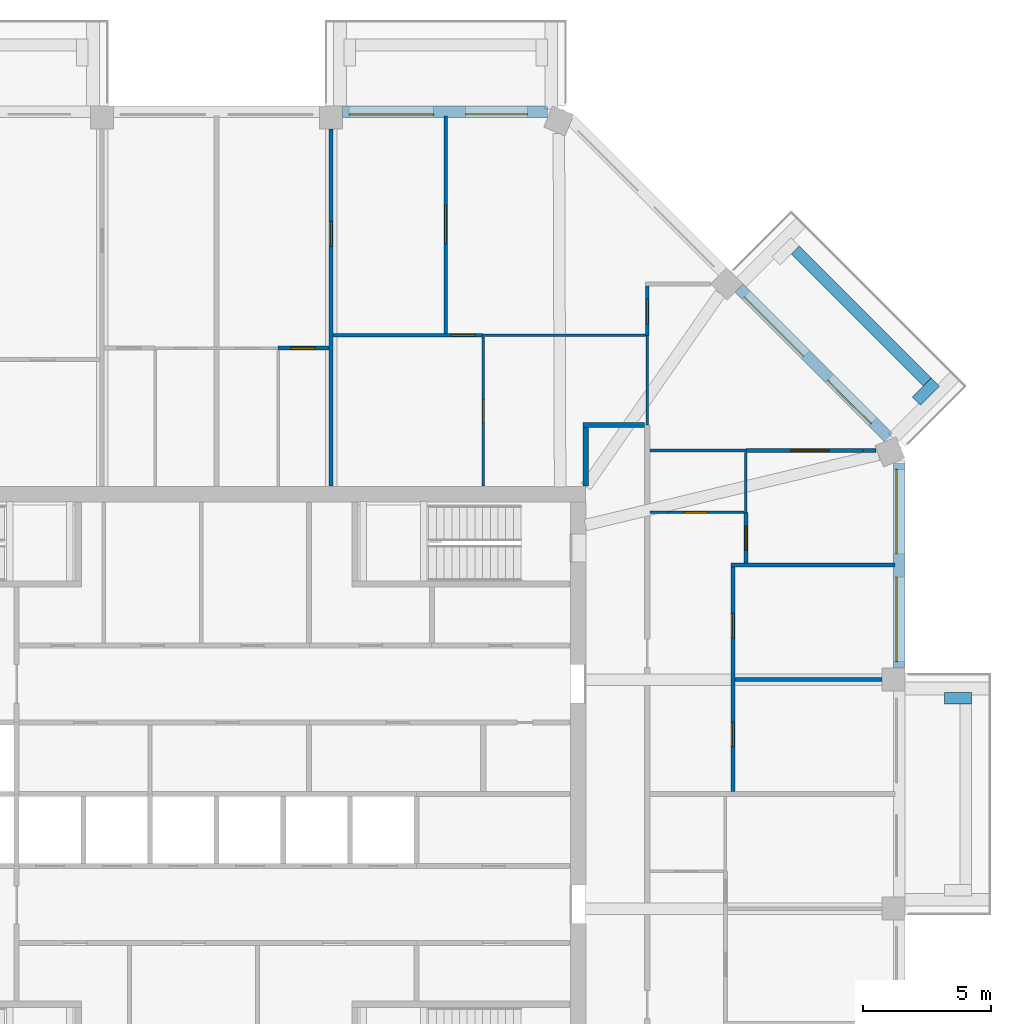
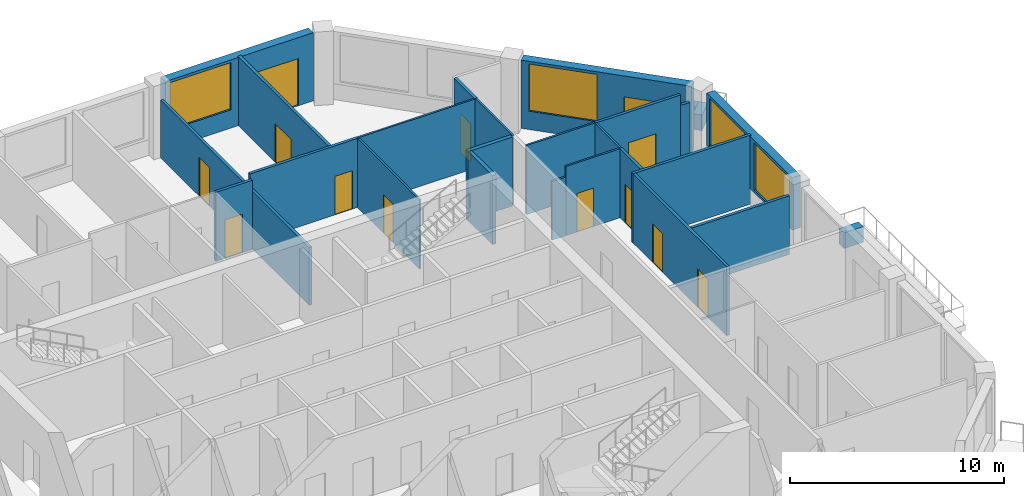
# One storey, part 9 of 12: 26 walls, 13 doors, 4 windows, 17 openings.
"""IFC4 building model written with IfcOpenShell, lengths in metres."""

from ifc_helpers import new_model, si_unit, direction, frame, frame_2d, origin, place, context, subcontext, project, spatial, rectangle, extrude, material, layer, layer_set, type_object, element, fill, save


model = new_model("IFC4")

# Units and contexts
model_context = context("Model", 3, precision=1e-05, world=origin(), true_north=direction((0.0, 1.0)))
body_context = subcontext(model_context, "Body", "Model", "MODEL_VIEW")
ifc_project = project(units=[si_unit("LENGTHUNIT", "METRE"), si_unit("AREAUNIT", "SQUARE_METRE"), si_unit("VOLUMEUNIT", "CUBIC_METRE"), si_unit("PLANEANGLEUNIT", "RADIAN"), si_unit("MASSUNIT", "GRAM", prefix="KILO")], contexts=[model_context])

# Site, building, storey
site_placement = place(None, origin())
site = spatial("IfcSite", under=ifc_project, at=site_placement, CompositionType="ELEMENT")
building_placement = place(site_placement, origin())
building = spatial("IfcBuilding", under=site, at=building_placement, Name="Msitu Wima Residences", CompositionType="ELEMENT")
storey_placement = place(building_placement, frame((0.0, 0.0, 255.89990234375)))
storey = spatial("IfcBuildingStorey", under=building, at=storey_placement, Name="L59", CompositionType="ELEMENT", Elevation=255.89990234375)

# Walls
ifc_material_1 = material(Name="Facing brick")
ifc_layer_1 = layer(ifc_material_1, 0.06494140625, Name="Facing brick")
ifc_material_2 = material(Name="Concrete C40/50", Category="concrete")
ifc_layer_2 = layer(ifc_material_2, 0.156005859375, Name="Concrete C40/50")
ifc_material_3 = material(Name="Waterproofing membrane")
ifc_layer_3 = layer(ifc_material_3, 0.00390625, Name="Waterproofing membrane")
ifc_material_4 = material(Name="Planting soil and planting")
ifc_layer_4 = layer(ifc_material_4, 0.22509765625, Name="Planting soil and planting")
ifc_layer_set_1 = layer_set([ifc_layer_1, ifc_layer_2, ifc_layer_3, ifc_layer_4], Name="Concrete C40/50")
wall_type_1 = type_object("IfcWallType", Name="Balcony planter PLANTER PL450", PredefinedType="USERDEFINED", material=ifc_layer_set_1)
wall_1_placement = place(storey_placement, frame((28.39990234375, 3.74365234375, 0.0), z_axis=(0.0, 0.0, 1.0), x_axis=(1.0, 0.0, 0.0)))
element("IfcWall", 1, at=wall_1_placement, inside=storey, type_object=wall_type_1, Name="Balcony planter E1 L59", ObjectType="PLANTER", PredefinedType="USERDEFINED", context=body_context, shape_type="SweptSolid", body=[
    extrude(rectangle(XDim=1.050048828125, YDim=0.449951171875, at=frame_2d((0.52490234375, 0.0))), origin(), (0.0, 0.0, 1.0), 0.900146484375),
])
wall_2_placement = place(storey_placement, frame((27.725830078125, 16.0751953125, 0.0), z_axis=(0.0, 0.0, 1.0), x_axis=(-0.707106781187, 0.707106781187, 0.0)))
element("IfcWall", 2, at=wall_2_placement, inside=storey, type_object=wall_type_1, Name="Balcony planter NE0 L59", ObjectType="PLANTER", PredefinedType="USERDEFINED", context=body_context, shape_type="SweptSolid", body=[
    extrude(rectangle(XDim=7.288330078125, YDim=0.449951171875, at=frame_2d((3.64404296875, 0.0))), origin(), (0.0, 0.0, 1.0), 0.900146484375),
])
wall_3_placement = place(storey_placement, frame((27.301513671875, 15.332763671875, 0.0), z_axis=(0.0, 0.0, 1.0), x_axis=(0.707106781187, 0.707106781187, 0.0)))
element("IfcWall", 3, at=wall_3_placement, inside=storey, type_object=wall_type_1, Name="Balcony planter NE0 L59", ObjectType="PLANTER", PredefinedType="USERDEFINED", context=body_context, shape_type="SweptSolid", body=[
    extrude(rectangle(XDim=1.050048828125, YDim=0.449951171875, at=frame_2d((0.52490234375, 0.0))), origin(), (0.0, 0.0, 1.0), 0.900146484375),
])

# Wall, openings, windows
ifc_material_5 = material(Name="Brick (red buff mix)", Category="masonry")
ifc_layer_5 = layer(ifc_material_5, 0.449951171875)
ifc_layer_set_2 = layer_set([ifc_layer_5], Name="Brick (red buff mix)")
wall_type_2 = type_object("IfcWallType", Name="Brick infill wall BW450", PredefinedType="SOLIDWALL", material=ifc_layer_set_2)
wall_4_placement = place(storey_placement, frame((26.625, 4.918701171875, 0.900146484375), z_axis=(0.0, 0.0, 1.0), x_axis=(0.0, 1.0, 0.0)))
wall_4 = element("IfcWall", 4, at=wall_4_placement, inside=storey, type_object=wall_type_2, Name="Brick infill wall L59 E2", PredefinedType="SOLIDWALL", context=body_context, shape_type="SweptSolid", body=[
    extrude(rectangle(XDim=8.0, YDim=0.449951171875, at=frame_2d((4.0, 0.0))), origin(), (0.0, 0.0, 1.0), 3.0),
])
opening_1_placement = place(wall_4_placement, frame((0.25, 0.0, 0.14990234375)))
opening_1 = element("IfcOpeningElement", 5, at=opening_1_placement, cuts=wall_4, Name="Opening W57-59.004", PredefinedType="OPENING", context=body_context, shape_type="SweptSolid", body=[
    extrude(rectangle(XDim=3.300048828125, YDim=2.699951171875, at=frame_2d((1.64990234375, 1.35009765625))), frame((0.0, 0.23486328125, 0.0), z_axis=(0.0, -1.0, 0.0), x_axis=(1.0, 0.0, 0.0)), (0.0, 0.0, 1.0), 0.469970703125),
])
opening_2_placement = place(wall_4_placement, frame((4.4501953125, 0.0, 0.14990234375)))
opening_2 = element("IfcOpeningElement", 6, at=opening_2_placement, cuts=wall_4, Name="Opening W57-59.005", PredefinedType="OPENING", context=body_context, shape_type="SweptSolid", body=[
    extrude(rectangle(XDim=3.300048828125, YDim=2.699951171875, at=frame_2d((1.64990234375, 1.35009765625))), frame((0.0, 0.23486328125, 0.0), z_axis=(0.0, -1.0, 0.0), x_axis=(1.0, 0.0, 0.0)), (0.0, 0.0, 1.0), 0.469970703125),
])
ifc_material_6 = material(Name="Anodised aluminium, bronze finish, clear low-emissivity double glazing", Category="aluminium")
window_type = type_object("IfcWindowType", Name="Window W3300x2700", PartitioningType="DOUBLE_PANEL_VERTICAL", PredefinedType="WINDOW", material=ifc_material_6)
window_1_placement = place(opening_1_placement, origin())
window_1 = element("IfcWindow", 7, at=window_1_placement, inside=storey, type_object=window_type, Name="Window L59 E2.1", OverallHeight=2.699951171875, OverallWidth=3.300048828125, PartitioningType="SINGLE_PANEL", PredefinedType="WINDOW", context=body_context, shape_type="SweptSolid", body=[
    extrude(rectangle(XDim=3.300048828125, YDim=2.699951171875, at=frame_2d((1.64990234375, 1.35009765625))), frame((0.0, 0.135009765625, 0.0), z_axis=(0.0, -1.0, 0.0), x_axis=(1.0, 0.0, 0.0)), (0.0, 0.0, 1.0), 0.06005859375),
])
fill(opening_1, window_1)
window_2_placement = place(opening_2_placement, origin())
window_2 = element("IfcWindow", 8, at=window_2_placement, inside=storey, type_object=window_type, Name="Window L59 E2.2", OverallHeight=2.699951171875, OverallWidth=3.300048828125, PartitioningType="SINGLE_PANEL", PredefinedType="WINDOW", context=body_context, shape_type="SweptSolid", body=[
    extrude(rectangle(XDim=3.300048828125, YDim=2.699951171875, at=frame_2d((1.64990234375, 1.35009765625))), frame((0.0, 0.135009765625, 0.0), z_axis=(0.0, -1.0, 0.0), x_axis=(1.0, 0.0, 0.0)), (0.0, 0.0, 1.0), 0.06005859375),
])
fill(opening_2, window_2)

# Wall, openings, door, window
wall_5_placement = place(storey_placement, frame((26.214599609375, 13.909423828125, 0.0), z_axis=(0.0, 0.0, 1.0), x_axis=(-0.707106781187, 0.707106781187, 0.0)))
wall_5 = element("IfcWall", 9, at=wall_5_placement, inside=storey, type_object=wall_type_2, Name="Brick infill wall L59 NE0", PredefinedType="SOLIDWALL", context=body_context, shape_type="SweptSolid", body=[
    extrude(rectangle(XDim=8.251220703125, YDim=0.449951171875, at=frame_2d((4.12548828125, 0.0))), origin(), (0.0, 0.0, 1.0), 3.900146484375),
])
opening_3_placement = place(wall_5_placement, frame((0.86279296875, 0.0, 0.0)))
opening_3 = element("IfcOpeningElement", 10, at=opening_3_placement, cuts=wall_5, Name="Opening D57-59.004", PredefinedType="OPENING", context=body_context, shape_type="SweptSolid", body=[
    extrude(rectangle(XDim=2.39990234375, YDim=2.699951171875, at=frame_2d((1.199951171875, 1.35009765625))), frame((0.0, 0.23486328125, 0.0), z_axis=(0.0, -1.0, 0.0), x_axis=(1.0, 0.0, 0.0)), (0.0, 0.0, 1.0), 0.469970703125),
])
opening_4_placement = place(wall_5_placement, frame((4.57568359375, 0.0, 1.050048828125)))
opening_4 = element("IfcOpeningElement", 11, at=opening_4_placement, cuts=wall_5, Name="Opening W57-59.010", PredefinedType="OPENING", context=body_context, shape_type="SweptSolid", body=[
    extrude(rectangle(XDim=3.300048828125, YDim=2.699951171875, at=frame_2d((1.64990234375, 1.35009765625))), frame((0.0, 0.23486328125, 0.0), z_axis=(0.0, -1.0, 0.0), x_axis=(1.0, 0.0, 0.0)), (0.0, 0.0, 1.0), 0.469970703125),
])
door_type_1 = type_object("IfcDoorType", Name="Balcony door D2400x2700", OperationType="SLIDING_TO_LEFT", PredefinedType="DOOR", material=ifc_material_6)
door_1_placement = place(opening_3_placement, origin())
door_1 = element("IfcDoor", 12, at=door_1_placement, inside=storey, type_object=door_type_1, Name="Balcony door L59 NE0", OperationType="SINGLE_SWING_LEFT", OverallHeight=2.699951171875, OverallWidth=2.39990234375, PredefinedType="DOOR", context=body_context, shape_type="SweptSolid", body=[
    extrude(rectangle(XDim=2.39990234375, YDim=2.699951171875, at=frame_2d((1.199951171875, 1.35009765625))), frame((0.0, 0.1298828125, 0.0), z_axis=(0.0, -1.0, 0.0), x_axis=(1.0, 0.0, 0.0)), (0.0, 0.0, 1.0), 0.050048828125),
])
fill(opening_3, door_1)
window_3_placement = place(opening_4_placement, origin())
window_3 = element("IfcWindow", 13, at=window_3_placement, inside=storey, type_object=window_type, Name="Window L59 NE0.2", OverallHeight=2.699951171875, OverallWidth=3.300048828125, PartitioningType="SINGLE_PANEL", PredefinedType="WINDOW", context=body_context, shape_type="SweptSolid", body=[
    extrude(rectangle(XDim=3.300048828125, YDim=2.699951171875, at=frame_2d((1.64990234375, 1.35009765625))), frame((0.0, 0.135009765625, 0.0), z_axis=(0.0, -1.0, 0.0), x_axis=(1.0, 0.0, 0.0)), (0.0, 0.0, 1.0), 0.06005859375),
])
fill(opening_4, window_3)

wall_6_placement = place(storey_placement, frame((12.918701171875, 26.625, 0.0), z_axis=(0.0, 0.0, 1.0), x_axis=(-1.0, 0.0, 0.0)))
wall_6 = element("IfcWall", 14, at=wall_6_placement, inside=storey, type_object=wall_type_2, Name="Brick infill wall L59 N0", PredefinedType="SOLIDWALL", context=body_context, shape_type="SweptSolid", body=[
    extrude(rectangle(XDim=8.0, YDim=0.449951171875, at=frame_2d((4.0, 0.0))), origin(), (0.0, 0.0, 1.0), 3.900146484375),
])
opening_5_placement = place(wall_6_placement, frame((0.800048828125, 0.0, 0.0)))
opening_5 = element("IfcOpeningElement", 15, at=opening_5_placement, cuts=wall_6, Name="Opening D57-59.002", PredefinedType="OPENING", context=body_context, shape_type="SweptSolid", body=[
    extrude(rectangle(XDim=2.39990234375, YDim=2.699951171875, at=frame_2d((1.199951171875, 1.35009765625))), frame((0.0, 0.23486328125, 0.0), z_axis=(0.0, -1.0, 0.0), x_axis=(1.0, 0.0, 0.0)), (0.0, 0.0, 1.0), 0.469970703125),
])
opening_6_placement = place(wall_6_placement, frame((4.4501953125, 0.0, 1.050048828125)))
opening_6 = element("IfcOpeningElement", 16, at=opening_6_placement, cuts=wall_6, Name="Opening W57-59.006", PredefinedType="OPENING", context=body_context, shape_type="SweptSolid", body=[
    extrude(rectangle(XDim=3.300048828125, YDim=2.699951171875, at=frame_2d((1.64990234375, 1.35009765625))), frame((0.0, 0.23486328125, 0.0), z_axis=(0.0, -1.0, 0.0), x_axis=(1.0, 0.0, 0.0)), (0.0, 0.0, 1.0), 0.469970703125),
])
door_2_placement = place(opening_5_placement, origin())
door_2 = element("IfcDoor", 17, at=door_2_placement, inside=storey, type_object=door_type_1, Name="Balcony door L59 N0", OperationType="SINGLE_SWING_LEFT", OverallHeight=2.699951171875, OverallWidth=2.39990234375, PredefinedType="DOOR", context=body_context, shape_type="SweptSolid", body=[
    extrude(rectangle(XDim=2.39990234375, YDim=2.699951171875, at=frame_2d((1.199951171875, 1.35009765625))), frame((0.0, 0.1298828125, 0.0), z_axis=(0.0, -1.0, 0.0), x_axis=(1.0, 0.0, 0.0)), (0.0, 0.0, 1.0), 0.050048828125),
])
fill(opening_5, door_2)
window_4_placement = place(opening_6_placement, origin())
window_4 = element("IfcWindow", 18, at=window_4_placement, inside=storey, type_object=window_type, Name="Window L59 N0.2", OverallHeight=2.699951171875, OverallWidth=3.300048828125, PartitioningType="SINGLE_PANEL", PredefinedType="WINDOW", context=body_context, shape_type="SweptSolid", body=[
    extrude(rectangle(XDim=3.300048828125, YDim=2.699951171875, at=frame_2d((1.64990234375, 1.35009765625))), frame((0.0, 0.135009765625, 0.0), z_axis=(0.0, -1.0, 0.0), x_axis=(1.0, 0.0, 0.0)), (0.0, 0.0, 1.0), 0.06005859375),
])
fill(opening_6, window_4)

# Walls
ifc_material_7 = material(Name="Plaster")
ifc_layer_6 = layer(ifc_material_7, 0.011962890625, Name="Plaster")
ifc_material_8 = material(Name="Concrete blockwork", Category="masonry")
ifc_layer_7 = layer(ifc_material_8, 0.176025390625, Name="Concrete blockwork")
ifc_layer_8 = layer(ifc_material_7, 0.011962890625, Name="Plaster")
ifc_layer_set_3 = layer_set([ifc_layer_6, ifc_layer_7, ifc_layer_8], Name="Concrete blockwork")
wall_type_3 = type_object("IfcWallType", Name="Corridor wall FW200", PredefinedType="PARTITIONING", material=ifc_layer_set_3)
wall_7_placement = place(storey_placement, frame((14.39990234375, 12.030029296875, 0.0), z_axis=(0.0, 0.0, 1.0), x_axis=(0.0, 1.0, 0.0)))
element("IfcWall", 19, at=wall_7_placement, inside=storey, type_object=wall_type_3, Name="Corridor wall", PredefinedType="PARTITIONING", context=body_context, shape_type="SweptSolid", body=[
    extrude(rectangle(XDim=2.27001953125, YDim=0.199951171875, at=frame_2d((1.135009765625, 0.0))), origin(), (0.0, 0.0, 1.0), 3.9501953125),
])
wall_8_placement = place(storey_placement, frame((14.300048828125, 14.39990234375, 0.0), z_axis=(0.0, 0.0, 1.0), x_axis=(1.0, 0.0, 0.0)))
element("IfcWall", 20, at=wall_8_placement, inside=storey, type_object=wall_type_3, Name="Corridor wall", PredefinedType="PARTITIONING", context=body_context, shape_type="SweptSolid", body=[
    extrude(rectangle(XDim=2.39990234375, YDim=0.199951171875, at=frame_2d((1.199951171875, 0.0))), origin(), (0.0, 0.0, 1.0), 3.9501953125),
])

# Wall, opening, door
ifc_layer_9 = layer(ifc_material_7, 0.011962890625, Name="Plaster")
ifc_layer_10 = layer(ifc_material_8, 0.1259765625, Name="Concrete blockwork")
ifc_layer_11 = layer(ifc_material_7, 0.011962890625, Name="Plaster")
ifc_layer_set_4 = layer_set([ifc_layer_9, ifc_layer_10, ifc_layer_11], Name="Concrete blockwork")
wall_type_4 = type_object("IfcWallType", Name="Partition PW150", PredefinedType="PARTITIONING", material=ifc_layer_set_4)
wall_9_placement = place(storey_placement, frame((2.39990234375, 17.39990234375, 0.0), z_axis=(0.0, 0.0, 1.0), x_axis=(1.0, 0.0, 0.0)))
wall_9 = element("IfcWall", 21, at=wall_9_placement, inside=storey, type_object=wall_type_4, Name="Partition", PredefinedType="PARTITIONING", context=body_context, shape_type="SweptSolid", body=[
    extrude(rectangle(XDim=1.99365234375, YDim=0.14990234375, at=frame_2d((0.996826171875, 0.0))), origin(), (0.0, 0.0, 1.0), 3.9501953125),
])
opening_7_placement = place(wall_9_placement, frame((0.5, 0.0, 0.0)))
opening_7 = element("IfcOpeningElement", 22, at=opening_7_placement, cuts=wall_9, Name="Opening D57-59.015", PredefinedType="OPENING", context=body_context, shape_type="SweptSolid", body=[
    extrude(rectangle(XDim=0.949951171875, YDim=2.199951171875, at=frame_2d((0.47509765625, 1.10009765625))), frame((0.0, 0.0849609375, 0.0), z_axis=(0.0, -1.0, 0.0), x_axis=(1.0, 0.0, 0.0)), (0.0, 0.0, 1.0), 0.169921875),
])
ifc_material_9 = material(Name="Timber flush door", Category="wood")
door_type_2 = type_object("IfcDoorType", Name="Room door D12 950x2200", OperationType="SINGLE_SWING_LEFT", PredefinedType="DOOR", material=ifc_material_9)
door_3_placement = place(opening_7_placement, origin())
door_3 = element("IfcDoor", 23, at=door_3_placement, inside=storey, type_object=door_type_2, Name="Room door", OperationType="SINGLE_SWING_RIGHT", OverallHeight=2.199951171875, OverallWidth=0.949951171875, PredefinedType="DOOR", context=body_context, shape_type="SweptSolid", body=[
    extrude(rectangle(XDim=0.949951171875, YDim=2.199951171875, at=frame_2d((0.47509765625, 1.10009765625))), frame((0.0, 0.02490234375, 0.0), z_axis=(0.0, -1.0, 0.0), x_axis=(1.0, 0.0, 0.0)), (0.0, 0.0, 1.0), 0.050048828125),
])
fill(opening_7, door_3)

wall_10_placement = place(storey_placement, frame((4.46875, 12.030029296875, 0.0), z_axis=(0.0, 0.0, 1.0), x_axis=(0.0, 1.0, 0.0)))
wall_10 = element("IfcWall", 24, at=wall_10_placement, inside=storey, type_object=wall_type_4, Name="Partition", PredefinedType="PARTITIONING", context=body_context, shape_type="SweptSolid", body=[
    extrude(rectangle(XDim=13.919921875, YDim=0.14990234375, at=frame_2d((6.9599609375, 0.0))), origin(), (0.0, 0.0, 1.0), 3.300048828125),
])
opening_8_placement = place(wall_10_placement, frame((9.35009765625, 0.0, 0.0)))
opening_8 = element("IfcOpeningElement", 25, at=opening_8_placement, cuts=wall_10, Name="Opening D57-59.013", PredefinedType="OPENING", context=body_context, shape_type="SweptSolid", body=[
    extrude(rectangle(XDim=0.949951171875, YDim=2.199951171875, at=frame_2d((0.47509765625, 1.10009765625))), frame((0.0, 0.0849609375, 0.0), z_axis=(0.0, -1.0, 0.0), x_axis=(1.0, 0.0, 0.0)), (0.0, 0.0, 1.0), 0.169921875),
])
door_4_placement = place(opening_8_placement, origin())
door_4 = element("IfcDoor", 26, at=door_4_placement, inside=storey, type_object=door_type_2, Name="Room door", OperationType="SINGLE_SWING_RIGHT", OverallHeight=2.199951171875, OverallWidth=0.949951171875, PredefinedType="DOOR", context=body_context, shape_type="SweptSolid", body=[
    extrude(rectangle(XDim=0.949951171875, YDim=2.199951171875, at=frame_2d((0.47509765625, 1.10009765625))), frame((0.0, 0.02490234375, 0.0), z_axis=(0.0, -1.0, 0.0), x_axis=(1.0, 0.0, 0.0)), (0.0, 0.0, 1.0), 0.050048828125),
])
fill(opening_8, door_4)

wall_11_placement = place(storey_placement, frame((4.543701171875, 17.89990234375, 0.0), z_axis=(0.0, 0.0, 1.0), x_axis=(1.0, 0.0, 0.0)))
wall_11 = element("IfcWall", 27, at=wall_11_placement, inside=storey, type_object=wall_type_4, Name="Partition", PredefinedType="PARTITIONING", context=body_context, shape_type="SweptSolid", body=[
    extrude(rectangle(XDim=5.836181640625, YDim=0.14990234375, at=frame_2d((2.91796875, 0.0))), origin(), (0.0, 0.0, 1.0), 3.9501953125),
])
opening_9_placement = place(wall_11_placement, frame((4.60009765625, 0.0, 0.0)))
opening_9 = element("IfcOpeningElement", 28, at=opening_9_placement, cuts=wall_11, Name="Opening D57-59.021", PredefinedType="OPENING", context=body_context, shape_type="SweptSolid", body=[
    extrude(rectangle(XDim=0.949951171875, YDim=2.199951171875, at=frame_2d((0.47509765625, 1.10009765625))), frame((0.0, 0.0849609375, 0.0), z_axis=(0.0, -1.0, 0.0), x_axis=(1.0, 0.0, 0.0)), (0.0, 0.0, 1.0), 0.169921875),
])
door_5_placement = place(opening_9_placement, origin())
door_5 = element("IfcDoor", 29, at=door_5_placement, inside=storey, type_object=door_type_2, Name="Room door", OperationType="SINGLE_SWING_LEFT", OverallHeight=2.199951171875, OverallWidth=0.949951171875, PredefinedType="DOOR", context=body_context, shape_type="SweptSolid", body=[
    extrude(rectangle(XDim=0.949951171875, YDim=2.199951171875, at=frame_2d((0.47509765625, 1.10009765625))), frame((0.0, 0.02490234375, 0.0), z_axis=(0.0, -1.0, 0.0), x_axis=(1.0, 0.0, 0.0)), (0.0, 0.0, 1.0), 0.050048828125),
])
fill(opening_9, door_5)

wall_12_placement = place(storey_placement, frame((8.937255859375, 17.97509765625, 0.0), z_axis=(0.0, 0.0, 1.0), x_axis=(0.0, 1.0, 0.0)))
wall_12 = element("IfcWall", 30, at=wall_12_placement, inside=storey, type_object=wall_type_4, Name="Partition", PredefinedType="PARTITIONING", context=body_context, shape_type="SweptSolid", body=[
    extrude(rectangle(XDim=8.47998046875, YDim=0.14990234375, at=frame_2d((4.239990234375, 0.0))), origin(), (0.0, 0.0, 1.0), 3.9501953125),
])
opening_10_placement = place(wall_12_placement, frame((3.5, 0.0, 0.0)))
opening_10 = element("IfcOpeningElement", 31, at=opening_10_placement, cuts=wall_12, Name="Opening D57-59.023", PredefinedType="OPENING", context=body_context, shape_type="SweptSolid", body=[
    extrude(rectangle(XDim=1.5, YDim=2.199951171875, at=frame_2d((0.75, 1.10009765625))), frame((0.0, 0.0849609375, 0.0), z_axis=(0.0, -1.0, 0.0), x_axis=(1.0, 0.0, 0.0)), (0.0, 0.0, 1.0), 0.169921875),
])
ifc_material_10 = material(Name="Timber double door", Category="wood")
door_type_3 = type_object("IfcDoorType", Name="Double door D04 1500x2200", OperationType="DOUBLE_DOOR_SINGLE_SWING", PredefinedType="DOOR", material=ifc_material_10)
door_6_placement = place(opening_10_placement, origin())
door_6 = element("IfcDoor", 32, at=door_6_placement, inside=storey, type_object=door_type_3, Name="Double door", OperationType="DOUBLE_DOOR_SINGLE_SWING", OverallHeight=2.199951171875, OverallWidth=1.5, PredefinedType="DOOR", context=body_context, shape_type="SweptSolid", body=[
    extrude(rectangle(XDim=1.5, YDim=2.199951171875, at=frame_2d((0.75, 1.10009765625))), frame((0.0, 0.02490234375, 0.0), z_axis=(0.0, -1.0, 0.0), x_axis=(1.0, 0.0, 0.0)), (0.0, 0.0, 1.0), 0.050048828125),
])
fill(opening_10, door_6)

wall_13_placement = place(storey_placement, frame((16.800048828125, 17.89990234375, 0.0), z_axis=(0.0, 0.0, 1.0), x_axis=(0.0, 1.0, 0.0)))
wall_13 = element("IfcWall", 33, at=wall_13_placement, inside=storey, type_object=wall_type_4, Name="Partition", PredefinedType="PARTITIONING", context=body_context, shape_type="SweptSolid", body=[
    extrude(rectangle(XDim=1.927978515625, YDim=0.14990234375, at=frame_2d((0.9638671875, 0.0))), origin(), (0.0, 0.0, 1.0), 3.9501953125),
])
opening_11_placement = place(wall_13_placement, frame((0.449951171875, 0.0, 0.0)))
opening_11 = element("IfcOpeningElement", 34, at=opening_11_placement, cuts=wall_13, Name="Opening D57-59.020", PredefinedType="OPENING", context=body_context, shape_type="SweptSolid", body=[
    extrude(rectangle(XDim=0.949951171875, YDim=2.199951171875, at=frame_2d((0.47509765625, 1.10009765625))), frame((0.0, 0.0849609375, 0.0), z_axis=(0.0, -1.0, 0.0), x_axis=(1.0, 0.0, 0.0)), (0.0, 0.0, 1.0), 0.169921875),
])
door_7_placement = place(opening_11_placement, origin())
door_7 = element("IfcDoor", 35, at=door_7_placement, inside=storey, type_object=door_type_2, Name="Room door", OperationType="SINGLE_SWING_LEFT", OverallHeight=2.199951171875, OverallWidth=0.949951171875, PredefinedType="DOOR", context=body_context, shape_type="SweptSolid", body=[
    extrude(rectangle(XDim=0.949951171875, YDim=2.199951171875, at=frame_2d((0.47509765625, 1.10009765625))), frame((0.0, 0.02490234375, 0.0), z_axis=(0.0, -1.0, 0.0), x_axis=(1.0, 0.0, 0.0)), (0.0, 0.0, 1.0), 0.050048828125),
])
fill(opening_11, door_7)

# Wall, openings, doors
wall_14_placement = place(storey_placement, frame((20.14990234375, 0.10009765625, 0.0), z_axis=(0.0, 0.0, 1.0), x_axis=(0.0, 1.0, 0.0)))
wall_14 = element("IfcWall", 36, at=wall_14_placement, inside=storey, type_object=wall_type_4, Name="Partition", PredefinedType="PARTITIONING", context=body_context, shape_type="SweptSolid", body=[
    extrude(rectangle(XDim=8.76220703125, YDim=0.14990234375, at=frame_2d((4.381103515625, 0.0))), origin(), (0.0, 0.0, 1.0), 3.9501953125),
])
opening_12_placement = place(wall_14_placement, frame((1.75, 0.0, 0.0)))
opening_12 = element("IfcOpeningElement", 37, at=opening_12_placement, cuts=wall_14, Name="Opening D57-59.016", PredefinedType="OPENING", context=body_context, shape_type="SweptSolid", body=[
    extrude(rectangle(XDim=0.949951171875, YDim=2.199951171875, at=frame_2d((0.47509765625, 1.10009765625))), frame((0.0, 0.0849609375, 0.0), z_axis=(0.0, -1.0, 0.0), x_axis=(1.0, 0.0, 0.0)), (0.0, 0.0, 1.0), 0.169921875),
])
opening_13_placement = place(wall_14_placement, frame((6.0, 0.0, 0.0)))
opening_13 = element("IfcOpeningElement", 38, at=opening_13_placement, cuts=wall_14, Name="Opening D57-59.017", PredefinedType="OPENING", context=body_context, shape_type="SweptSolid", body=[
    extrude(rectangle(XDim=0.949951171875, YDim=2.199951171875, at=frame_2d((0.47509765625, 1.10009765625))), frame((0.0, 0.0849609375, 0.0), z_axis=(0.0, -1.0, 0.0), x_axis=(1.0, 0.0, 0.0)), (0.0, 0.0, 1.0), 0.169921875),
])
door_8_placement = place(opening_12_placement, origin())
door_8 = element("IfcDoor", 39, at=door_8_placement, inside=storey, type_object=door_type_2, Name="Room door", OperationType="SINGLE_SWING_LEFT", OverallHeight=2.199951171875, OverallWidth=0.949951171875, PredefinedType="DOOR", context=body_context, shape_type="SweptSolid", body=[
    extrude(rectangle(XDim=0.949951171875, YDim=2.199951171875, at=frame_2d((0.47509765625, 1.10009765625))), frame((0.0, 0.02490234375, 0.0), z_axis=(0.0, -1.0, 0.0), x_axis=(1.0, 0.0, 0.0)), (0.0, 0.0, 1.0), 0.050048828125),
])
fill(opening_12, door_8)
door_9_placement = place(opening_13_placement, origin())
door_9 = element("IfcDoor", 40, at=door_9_placement, inside=storey, type_object=door_type_2, Name="Room door", OperationType="SINGLE_SWING_RIGHT", OverallHeight=2.199951171875, OverallWidth=0.949951171875, PredefinedType="DOOR", context=body_context, shape_type="SweptSolid", body=[
    extrude(rectangle(XDim=0.949951171875, YDim=2.199951171875, at=frame_2d((0.47509765625, 1.10009765625))), frame((0.0, 0.02490234375, 0.0), z_axis=(0.0, -1.0, 0.0), x_axis=(1.0, 0.0, 0.0)), (0.0, 0.0, 1.0), 0.050048828125),
])
fill(opening_13, door_9)

# Walls
wall_15_placement = place(storey_placement, frame((20.22509765625, 4.46875, 0.0), z_axis=(0.0, 0.0, 1.0), x_axis=(1.0, 0.0, 0.0)))
element("IfcWall", 41, at=wall_15_placement, inside=storey, type_object=wall_type_4, Name="Partition", PredefinedType="PARTITIONING", context=body_context, shape_type="SweptSolid", body=[
    extrude(rectangle(XDim=5.724853515625, YDim=0.14990234375, at=frame_2d((2.8623046875, 0.0))), origin(), (0.0, 0.0, 1.0), 3.35009765625),
])
wall_16_placement = place(storey_placement, frame((20.074951171875, 8.937255859375, 0.0), z_axis=(0.0, 0.0, 1.0), x_axis=(1.0, 0.0, 0.0)))
element("IfcWall", 42, at=wall_16_placement, inside=storey, type_object=wall_type_4, Name="Partition", PredefinedType="PARTITIONING", context=body_context, shape_type="SweptSolid", body=[
    extrude(rectangle(XDim=6.380126953125, YDim=0.14990234375, at=frame_2d((3.18994140625, 0.0))), origin(), (0.0, 0.0, 1.0), 3.9501953125),
])

# Wall, opening, door
wall_17_placement = place(storey_placement, frame((20.64990234375, 9.01220703125, 0.0), z_axis=(0.0, 0.0, 1.0), x_axis=(0.0, 1.0, 0.0)))
wall_17 = element("IfcWall", 43, at=wall_17_placement, inside=storey, type_object=wall_type_4, Name="Partition", PredefinedType="PARTITIONING", context=body_context, shape_type="SweptSolid", body=[
    extrude(rectangle(XDim=1.9677734375, YDim=0.14990234375, at=frame_2d((0.98388671875, 0.0))), origin(), (0.0, 0.0, 1.0), 3.9501953125),
])
opening_14_placement = place(wall_17_placement, frame((0.5, 0.0, 0.0)))
opening_14 = element("IfcOpeningElement", 44, at=opening_14_placement, cuts=wall_17, Name="Opening D57-59.018", PredefinedType="OPENING", context=body_context, shape_type="SweptSolid", body=[
    extrude(rectangle(XDim=0.949951171875, YDim=2.199951171875, at=frame_2d((0.47509765625, 1.10009765625))), frame((0.0, 0.0849609375, 0.0), z_axis=(0.0, -1.0, 0.0), x_axis=(1.0, 0.0, 0.0)), (0.0, 0.0, 1.0), 0.169921875),
])
door_10_placement = place(opening_14_placement, origin())
door_10 = element("IfcDoor", 45, at=door_10_placement, inside=storey, type_object=door_type_2, Name="Room door", OperationType="SINGLE_SWING_RIGHT", OverallHeight=2.199951171875, OverallWidth=0.949951171875, PredefinedType="DOOR", context=body_context, shape_type="SweptSolid", body=[
    extrude(rectangle(XDim=0.949951171875, YDim=2.199951171875, at=frame_2d((0.47509765625, 1.10009765625))), frame((0.0, 0.02490234375, 0.0), z_axis=(0.0, -1.0, 0.0), x_axis=(1.0, 0.0, 0.0)), (0.0, 0.0, 1.0), 0.050048828125),
])
fill(opening_14, door_10)

wall_18_placement = place(storey_placement, frame((20.64990234375, 13.406005859375, 0.0), z_axis=(0.0, 0.0, 1.0), x_axis=(1.0, 0.0, 0.0)))
wall_18 = element("IfcWall", 46, at=wall_18_placement, inside=storey, type_object=wall_type_4, Name="Partition", PredefinedType="PARTITIONING", context=body_context, shape_type="SweptSolid", body=[
    extrude(rectangle(XDim=4.57421875, YDim=0.14990234375, at=frame_2d((2.287109375, 0.0))), origin(), (0.0, 0.0, 1.0), 3.9501953125),
])
opening_15_placement = place(wall_18_placement, frame((1.75, 0.0, 0.0)))
opening_15 = element("IfcOpeningElement", 47, at=opening_15_placement, cuts=wall_18, Name="Opening D57-59.019", PredefinedType="OPENING", context=body_context, shape_type="SweptSolid", body=[
    extrude(rectangle(XDim=1.5, YDim=2.199951171875, at=frame_2d((0.75, 1.10009765625))), frame((0.0, 0.0849609375, 0.0), z_axis=(0.0, -1.0, 0.0), x_axis=(1.0, 0.0, 0.0)), (0.0, 0.0, 1.0), 0.169921875),
])
door_11_placement = place(opening_15_placement, origin())
door_11 = element("IfcDoor", 48, at=door_11_placement, inside=storey, type_object=door_type_3, Name="Double door", OperationType="DOUBLE_DOOR_SINGLE_SWING", OverallHeight=2.199951171875, OverallWidth=1.5, PredefinedType="DOOR", context=body_context, shape_type="SweptSolid", body=[
    extrude(rectangle(XDim=1.5, YDim=2.199951171875, at=frame_2d((0.75, 1.10009765625))), frame((0.0, 0.02490234375, 0.0), z_axis=(0.0, -1.0, 0.0), x_axis=(1.0, 0.0, 0.0)), (0.0, 0.0, 1.0), 0.050048828125),
])
fill(opening_15, door_11)

# Walls
wall_19_placement = place(storey_placement, frame((25.22412109375, 13.406005859375, 0.0), z_axis=(0.0, 0.0, 1.0), x_axis=(1.0, 0.0, 0.0)))
element("IfcWall", 49, at=wall_19_placement, inside=storey, type_object=wall_type_4, Name="Partition", PredefinedType="PARTITIONING", context=body_context, shape_type="SweptSolid", body=[
    extrude(rectangle(XDim=0.507080078125, YDim=0.14990234375, at=frame_2d((0.25341796875, 0.0))), origin(), (0.0, 0.0, 1.0), 3.35009765625),
])
ifc_material_11 = material(Name="Ceramic tiles")
ifc_layer_12 = layer(ifc_material_11, 0.008056640625, Name="Ceramic tiles")
ifc_material_12 = material(Name="Moisture-resistant board")
ifc_layer_13 = layer(ifc_material_12, 0.012451171875, Name="Moisture-resistant board")
ifc_material_13 = material(Name="Light-gauge stud framing with mineral wool")
ifc_layer_14 = layer(ifc_material_13, 0.06689453125, Name="Light-gauge stud framing with mineral wool")
ifc_layer_15 = layer(ifc_material_12, 0.012451171875, Name="Moisture-resistant board")
ifc_layer_set_5 = layer_set([ifc_layer_12, ifc_layer_13, ifc_layer_14, ifc_layer_15], Name="Light-gauge stud framing with mineral wool")
wall_type_5 = type_object("IfcWallType", Name="Wet wall PW100", PredefinedType="PARTITIONING", material=ifc_layer_set_5)
wall_20_placement = place(storey_placement, frame((10.3798828125, 17.89990234375, 0.0), z_axis=(0.0, 0.0, 1.0), x_axis=(1.0, 0.0, 0.0)))
element("IfcWall", 50, at=wall_20_placement, inside=storey, type_object=wall_type_5, Name="Wet wall", PredefinedType="PARTITIONING", context=body_context, shape_type="SweptSolid", body=[
    extrude(rectangle(XDim=6.34521484375, YDim=0.10009765625, at=frame_2d((3.172607421875, 0.0))), origin(), (0.0, 0.0, 1.0), 3.9501953125),
])

# Wall, opening, door
wall_21_placement = place(storey_placement, frame((10.39990234375, 12.030029296875, 0.0), z_axis=(0.0, 0.0, 1.0), x_axis=(0.0, 1.0, 0.0)))
wall_21 = element("IfcWall", 51, at=wall_21_placement, inside=storey, type_object=wall_type_5, Name="Wet wall", PredefinedType="PARTITIONING", context=body_context, shape_type="SweptSolid", body=[
    extrude(rectangle(XDim=5.794921875, YDim=0.10009765625, at=frame_2d((2.8974609375, 0.0))), origin(), (0.0, 0.0, 1.0), 3.9501953125),
])
opening_16_placement = place(wall_21_placement, frame((2.449951171875, 0.0, 0.0)))
opening_16 = element("IfcOpeningElement", 52, at=opening_16_placement, cuts=wall_21, Name="Opening D57-59.022", PredefinedType="OPENING", context=body_context, shape_type="SweptSolid", body=[
    extrude(rectangle(XDim=0.89990234375, YDim=2.199951171875, at=frame_2d((0.449951171875, 1.10009765625))), frame((0.0, 0.06005859375, 0.0), z_axis=(0.0, -1.0, 0.0), x_axis=(1.0, 0.0, 0.0)), (0.0, 0.0, 1.0), 0.1201171875),
])
door_type_4 = type_object("IfcDoorType", Name="Service door D05 900x2200", OperationType="SINGLE_SWING_LEFT", PredefinedType="DOOR", material=ifc_material_9)
door_12_placement = place(opening_16_placement, origin())
door_12 = element("IfcDoor", 53, at=door_12_placement, inside=storey, type_object=door_type_4, Name="Service door", OperationType="SINGLE_SWING_RIGHT", OverallHeight=2.199951171875, OverallWidth=0.89990234375, PredefinedType="DOOR", context=body_context, shape_type="SweptSolid", body=[
    extrude(rectangle(XDim=0.89990234375, YDim=2.199951171875, at=frame_2d((0.449951171875, 1.10009765625))), frame((0.0, 0.02490234375, 0.0), z_axis=(0.0, -1.0, 0.0), x_axis=(1.0, 0.0, 0.0)), (0.0, 0.0, 1.0), 0.050048828125),
])
fill(opening_16, door_12)

# Wall
wall_22_placement = place(storey_placement, frame((16.89990234375, 11.0, 0.0), z_axis=(0.0, 0.0, 1.0), x_axis=(1.0, 0.0, 0.0)))
element("IfcWall", 54, at=wall_22_placement, inside=storey, type_object=wall_type_5, Name="Wet wall", PredefinedType="PARTITIONING", context=body_context, shape_type="SweptSolid", body=[
    extrude(rectangle(XDim=0.75390625, YDim=0.10009765625, at=frame_2d((0.376953125, 0.0))), origin(), (0.0, 0.0, 1.0), 3.35009765625),
])

# Wall, opening, door
wall_23_placement = place(storey_placement, frame((17.65380859375, 11.0, 0.0), z_axis=(0.0, 0.0, 1.0), x_axis=(1.0, 0.0, 0.0)))
wall_23 = element("IfcWall", 55, at=wall_23_placement, inside=storey, type_object=wall_type_5, Name="Wet wall", PredefinedType="PARTITIONING", context=body_context, shape_type="SweptSolid", body=[
    extrude(rectangle(XDim=2.921142578125, YDim=0.10009765625, at=frame_2d((1.46044921875, 0.0))), origin(), (0.0, 0.0, 1.0), 3.9501953125),
])
opening_17_placement = place(wall_23_placement, frame((0.59619140625, 0.0, 0.0)))
opening_17 = element("IfcOpeningElement", 56, at=opening_17_placement, cuts=wall_23, Name="Opening D57-59.012", PredefinedType="OPENING", context=body_context, shape_type="SweptSolid", body=[
    extrude(rectangle(XDim=0.89990234375, YDim=2.199951171875, at=frame_2d((0.449951171875, 1.10009765625))), frame((0.0, 0.06005859375, 0.0), z_axis=(0.0, -1.0, 0.0), x_axis=(1.0, 0.0, 0.0)), (0.0, 0.0, 1.0), 0.1201171875),
])
ifc_material_14 = material(Name="Timber flush door, moisture resistant", Category="wood")
door_type_5 = type_object("IfcDoorType", Name="Bathroom door D03 900x2200", OperationType="SINGLE_SWING_LEFT", PredefinedType="DOOR", material=ifc_material_14)
door_13_placement = place(opening_17_placement, origin())
door_13 = element("IfcDoor", 57, at=door_13_placement, inside=storey, type_object=door_type_5, Name="Bathroom door", OperationType="SINGLE_SWING_LEFT", OverallHeight=2.199951171875, OverallWidth=0.89990234375, PredefinedType="DOOR", context=body_context, shape_type="SweptSolid", body=[
    extrude(rectangle(XDim=0.89990234375, YDim=2.199951171875, at=frame_2d((0.449951171875, 1.10009765625))), frame((0.0, 0.02490234375, 0.0), z_axis=(0.0, -1.0, 0.0), x_axis=(1.0, 0.0, 0.0)), (0.0, 0.0, 1.0), 0.050048828125),
])
fill(opening_17, door_13)

# Walls
wall_24_placement = place(storey_placement, frame((16.89990234375, 13.406005859375, 0.0), z_axis=(0.0, 0.0, 1.0), x_axis=(1.0, 0.0, 0.0)))
element("IfcWall", 58, at=wall_24_placement, inside=storey, type_object=wall_type_5, Name="Wet wall", PredefinedType="PARTITIONING", context=body_context, shape_type="SweptSolid", body=[
    extrude(rectangle(XDim=3.75, YDim=0.10009765625, at=frame_2d((1.875, 0.0))), origin(), (0.0, 0.0, 1.0), 3.9501953125),
])
wall_25_placement = place(storey_placement, frame((16.800048828125, 14.39990234375, 0.0), z_axis=(0.0, 0.0, 1.0), x_axis=(0.0, 1.0, 0.0)))
element("IfcWall", 59, at=wall_25_placement, inside=storey, type_object=wall_type_5, Name="Wet wall", PredefinedType="PARTITIONING", context=body_context, shape_type="SweptSolid", body=[
    extrude(rectangle(XDim=3.5, YDim=0.10009765625, at=frame_2d((1.75, 0.0))), origin(), (0.0, 0.0, 1.0), 3.9501953125),
])
wall_26_placement = place(storey_placement, frame((20.64990234375, 10.97998046875, 0.0), z_axis=(0.0, 0.0, 1.0), x_axis=(0.0, 1.0, 0.0)))
element("IfcWall", 60, at=wall_26_placement, inside=storey, type_object=wall_type_5, Name="Wet wall", PredefinedType="PARTITIONING", context=body_context, shape_type="SweptSolid", body=[
    extrude(rectangle(XDim=2.350830078125, YDim=0.10009765625, at=frame_2d((1.17529296875, 0.0))), origin(), (0.0, 0.0, 1.0), 3.9501953125),
])

save(model, "model.ifc")
